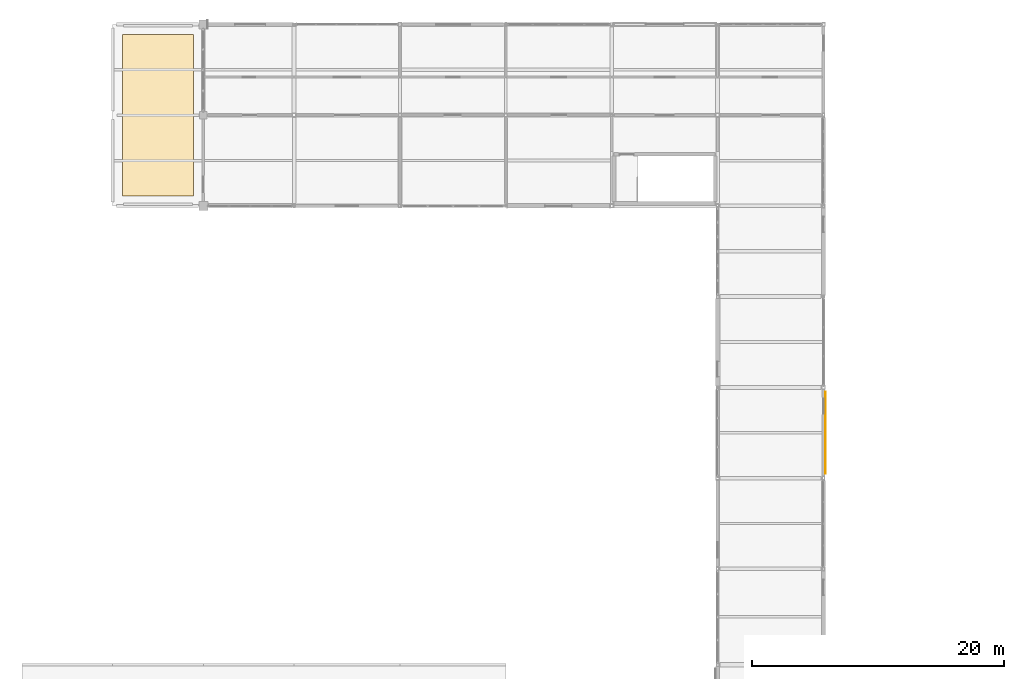
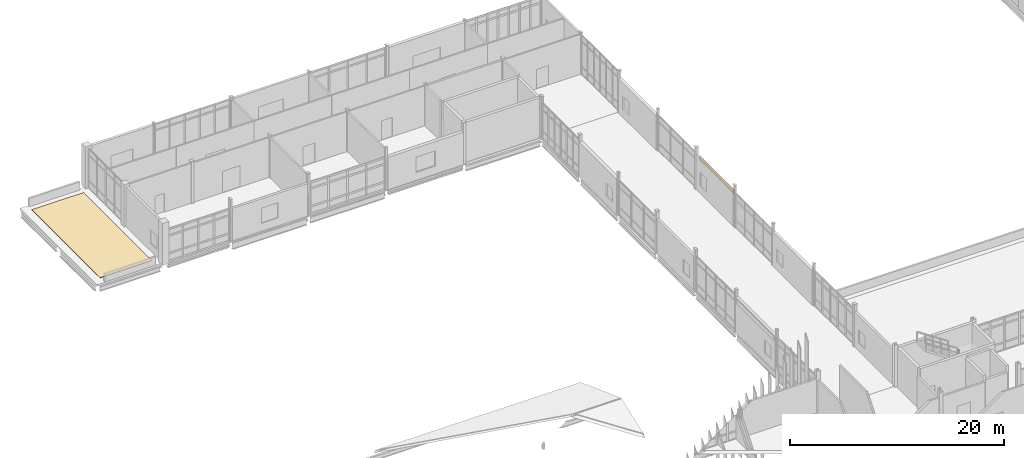
# One storey, part 147 of 153: 2 coverings.
"""IFC4 building model written with IfcOpenShell, lengths in metres."""

from ifc_helpers import new_model, si_unit, direction, frame, origin, origin_2d, place, context, subcontext, project, spatial, polyline, rectangle, outline, extrude, material, layer, layer_set, type_object, element, save


model = new_model("IFC4")

# Units and contexts
model_context = context("Model", 3, precision=1e-05, world=origin(), true_north=direction((0.0, 1.0)))
body_context = subcontext(model_context, "Body", "Model", "MODEL_VIEW")
ifc_project = project(units=[si_unit("LENGTHUNIT", "METRE"), si_unit("AREAUNIT", "SQUARE_METRE"), si_unit("VOLUMEUNIT", "CUBIC_METRE"), si_unit("PLANEANGLEUNIT", "RADIAN"), si_unit("MASSUNIT", "GRAM", prefix="KILO")], contexts=[model_context])

# Site, building, storey
site_placement = place(None, origin())
site = spatial("IfcSite", under=ifc_project, at=site_placement, CompositionType="ELEMENT")
building_placement = place(site_placement, origin())
building = spatial("IfcBuilding", under=site, at=building_placement, Name="Calvrana Isthmian Art Gallery", CompositionType="ELEMENT")
storey_placement = place(building_placement, frame((0.0, 0.0, 10.199951171875)))
storey = spatial("IfcBuildingStorey", under=building, at=storey_placement, Name="L02", CompositionType="ELEMENT", Elevation=10.199951171875)

# Coverings
ifc_material_1 = material(Name="Polychrome glazed terracotta", Category="masonry")
ifc_layer_1 = layer(ifc_material_1, 0.0400390625, Name="Polychrome glazed terracotta")
ifc_layer_set_1 = layer_set([ifc_layer_1], Name="Polychrome glazed terracotta")
covering_type_1 = type_object("IfcCoveringType", Name="COV-CLAD-TERRA", PredefinedType="CLADDING", material=ifc_layer_set_1)
covering_1_placement = place(storey_placement, frame((63.742919921875, 80.39990234375, 3.406982421875), z_axis=(0.0, 0.0, 1.0), x_axis=(0.0, -1.0, 0.0)))
element("IfcCovering", 1, at=covering_1_placement, inside=storey, type_object=covering_type_1, Name="Terracotta spandrel cladding 135", PredefinedType="CLADDING", context=body_context, shape_type="SweptSolid", body=[
    extrude(rectangle(XDim=6.4951171875, YDim=0.0400390625, at=origin_2d()), origin(), (0.0, 0.0, 1.0), 0.5),
])
ifc_material_2 = material(Name="Standing-seam zinc-aluminium roofing", Category="aluminium")
ifc_layer_2 = layer(ifc_material_2, 0.050048828125, Name="Standing-seam zinc-aluminium roofing")
ifc_layer_set_2 = layer_set([ifc_layer_2], Name="Standing-seam zinc-aluminium roofing")
covering_type_2 = type_object("IfcCoveringType", Name="COV-ROOF-ZINC", PredefinedType="ROOFING", material=ifc_layer_set_2)
covering_2_placement = place(storey_placement, origin())
element("IfcCovering", 2, at=covering_2_placement, inside=storey, type_object=covering_type_2, Name="Insulated roof membrane ROOF_V6W_L02", PredefinedType="ROOFING", context=body_context, shape_type="SweptSolid", body=[
    extrude(outline(polyline([(8.0, 99.199951171875), (13.60009765625, 99.199951171875), (13.60009765625, 112.0), (8.0, 112.0), (8.0, 99.199951171875)])), origin(), (0.0, 0.0, 1.0), 0.050048828125),
])

save(model, "model.ifc")
